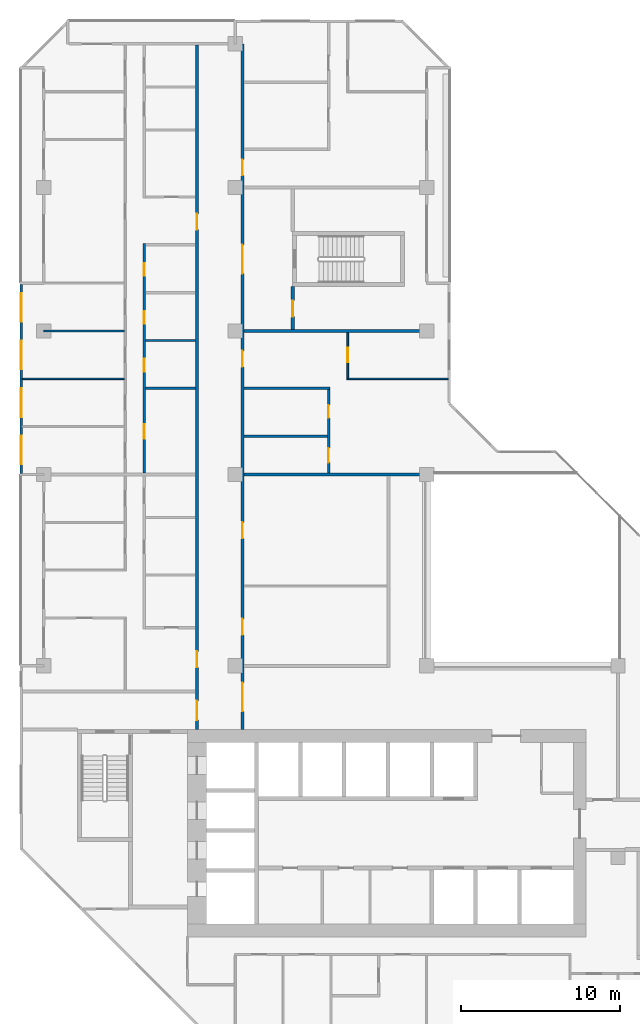
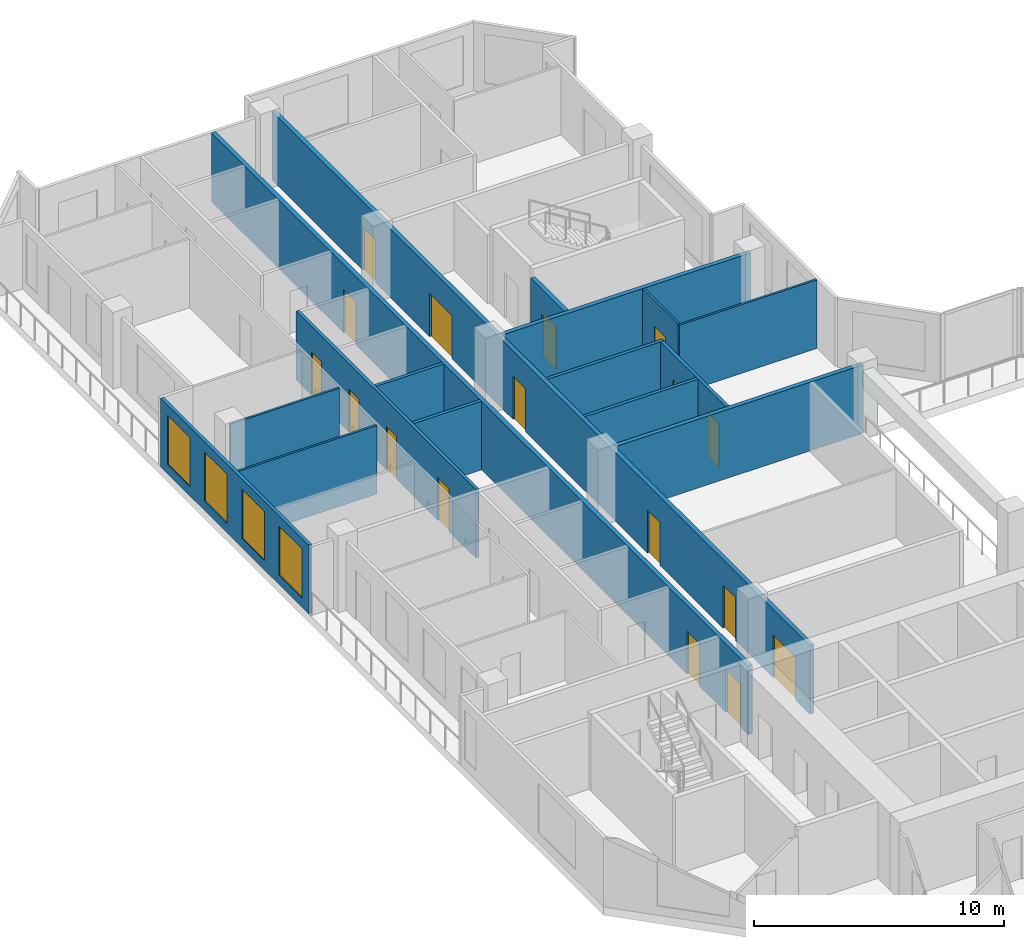
# One storey, part 9 of 15: 17 doors, 16 walls, 4 windows, 21 openings.
"""IFC4 building model written with IfcOpenShell, lengths in metres."""

from ifc_helpers import new_model, si_unit, direction, frame, frame_2d, origin, place, context, subcontext, project, spatial, rectangle, extrude, material, layer, layer_set, type_object, element, fill, save


model = new_model("IFC4")

# Units and contexts
model_context = context("Model", 3, precision=1e-05, world=origin(), true_north=direction((0.0, 1.0)))
body_context = subcontext(model_context, "Body", "Model", "MODEL_VIEW")
ifc_project = project(units=[si_unit("LENGTHUNIT", "METRE"), si_unit("AREAUNIT", "SQUARE_METRE"), si_unit("VOLUMEUNIT", "CUBIC_METRE"), si_unit("PLANEANGLEUNIT", "RADIAN"), si_unit("MASSUNIT", "GRAM", prefix="KILO")], contexts=[model_context])

# Site, building, storey
site_placement = place(None, origin())
site = spatial("IfcSite", under=ifc_project, at=site_placement, CompositionType="ELEMENT")
building_placement = place(site_placement, origin())
building = spatial("IfcBuilding", under=site, at=building_placement, Name="Chenar Terraces", CompositionType="ELEMENT")
storey_placement = place(building_placement, frame((0.0, 0.0, 176.14990234375)))
storey = spatial("IfcBuildingStorey", under=building, at=storey_placement, Name="L40", CompositionType="ELEMENT", Elevation=176.14990234375)

# Wall, openings, doors
ifc_material_1 = material(Name="Gypsum board on steel studs with fire boards", Category="steel")
ifc_layer_1 = layer(ifc_material_1, 0.199951171875)
ifc_layer_set_1 = layer_set([ifc_layer_1], Name="Gypsum board on steel studs with fire boards")
wall_type_1 = type_object("IfcWallType", Name="Corridor wall 200", PredefinedType="PARTITIONING", material=ifc_layer_set_1)
wall_1_placement = place(storey_placement, frame((9.60009765625, 20.0, 0.0), z_axis=(0.0, 0.0, 1.0), x_axis=(0.0, 1.0, 0.0)))
wall_1 = element("IfcWall", 1, at=wall_1_placement, inside=storey, type_object=wall_type_1, Name="Partition L40-032", PredefinedType="PARTITIONING", context=body_context, shape_type="SweptSolid", body=[
    extrude(rectangle(XDim=42.926025390625, YDim=0.199951171875, at=frame_2d((21.462890625, 0.0))), origin(), (0.0, 0.0, 1.0), 3.35009765625),
])
opening_1_placement = place(wall_1_placement, frame((31.35009765625, 0.0, 0.0)))
opening_1 = element("IfcOpeningElement", 2, at=opening_1_placement, cuts=wall_1, Name="Opening DL40-29", PredefinedType="OPENING", context=body_context, shape_type="SweptSolid", body=[
    extrude(rectangle(XDim=1.0, YDim=2.10009765625, at=frame_2d((0.5, 1.050048828125))), frame((0.0, 0.10986328125, 0.0), z_axis=(0.0, -1.0, 0.0), x_axis=(1.0, 0.0, 0.0)), (0.0, 0.0, 1.0), 0.219970703125),
])
opening_2_placement = place(wall_1_placement, frame((0.60009765625, 0.0, 0.0)))
opening_2 = element("IfcOpeningElement", 3, at=opening_2_placement, cuts=wall_1, Name="Opening DL40-40", PredefinedType="OPENING", context=body_context, shape_type="SweptSolid", body=[
    extrude(rectangle(XDim=1.199951171875, YDim=2.10009765625, at=frame_2d((0.60009765625, 1.050048828125))), frame((0.0, 0.10986328125, 0.0), z_axis=(0.0, -1.0, 0.0), x_axis=(1.0, 0.0, 0.0)), (0.0, 0.0, 1.0), 0.219970703125),
])
opening_3_placement = place(wall_1_placement, frame((3.89990234375, 0.0, 0.0)))
opening_3 = element("IfcOpeningElement", 4, at=opening_3_placement, cuts=wall_1, Name="Opening DL40-62", PredefinedType="OPENING", context=body_context, shape_type="SweptSolid", body=[
    extrude(rectangle(XDim=1.0, YDim=2.10009765625, at=frame_2d((0.5, 1.050048828125))), frame((0.0, 0.10986328125, 0.0), z_axis=(0.0, -1.0, 0.0), x_axis=(1.0, 0.0, 0.0)), (0.0, 0.0, 1.0), 0.219970703125),
])
ifc_material_2 = material(Name="Steel-framed fire-resisting door leaf", Category="steel")
door_type_1 = type_object("IfcDoorType", Name="Fire door FD30S 1000 x 2100", OperationType="SINGLE_SWING_LEFT", PredefinedType="DOOR", material=ifc_material_2)
door_1_placement = place(opening_1_placement, origin())
door_1 = element("IfcDoor", 5, at=door_1_placement, inside=storey, type_object=door_type_1, Name="Door DL40-29", OperationType="SINGLE_SWING_LEFT", OverallHeight=2.10009765625, OverallWidth=1.0, PredefinedType="DOOR", context=body_context, shape_type="SweptSolid", body=[
    extrude(rectangle(XDim=1.0, YDim=2.10009765625, at=frame_2d((0.5, 1.050048828125))), frame((0.0, 0.02490234375, 0.0), z_axis=(0.0, -1.0, 0.0), x_axis=(1.0, 0.0, 0.0)), (0.0, 0.0, 1.0), 0.050048828125),
])
fill(opening_1, door_1)
door_2_placement = place(opening_3_placement, origin())
door_2 = element("IfcDoor", 6, at=door_2_placement, inside=storey, type_object=door_type_1, Name="Door DL40-62", OperationType="SINGLE_SWING_LEFT", OverallHeight=2.10009765625, OverallWidth=1.0, PredefinedType="DOOR", context=body_context, shape_type="SweptSolid", body=[
    extrude(rectangle(XDim=1.0, YDim=2.10009765625, at=frame_2d((0.5, 1.050048828125))), frame((0.0, 0.02490234375, 0.0), z_axis=(0.0, -1.0, 0.0), x_axis=(1.0, 0.0, 0.0)), (0.0, 0.0, 1.0), 0.050048828125),
])
fill(opening_3, door_2)
ifc_material_3 = material(Name="Steel-framed fire-resisting door leaf", Category="steel")
door_type_2 = type_object("IfcDoorType", Name="Fire door FD30S 1200 x 2100", OperationType="SINGLE_SWING_LEFT", PredefinedType="DOOR", material=ifc_material_3)
door_3_placement = place(opening_2_placement, origin())
door_3 = element("IfcDoor", 7, at=door_3_placement, inside=storey, type_object=door_type_2, Name="Door DL40-40", OperationType="SINGLE_SWING_RIGHT", OverallHeight=2.10009765625, OverallWidth=1.199951171875, PredefinedType="DOOR", context=body_context, shape_type="SweptSolid", body=[
    extrude(rectangle(XDim=1.199951171875, YDim=2.10009765625, at=frame_2d((0.60009765625, 1.050048828125))), frame((0.0, 0.02490234375, 0.0), z_axis=(0.0, -1.0, 0.0), x_axis=(1.0, 0.0, 0.0)), (0.0, 0.0, 1.0), 0.050048828125),
])
fill(opening_2, door_3)

wall_2_placement = place(storey_placement, frame((12.449951171875, 20.0, 0.0), z_axis=(0.0, 0.0, 1.0), x_axis=(0.0, 1.0, 0.0)))
wall_2 = element("IfcWall", 8, at=wall_2_placement, inside=storey, type_object=wall_type_1, Name="Partition L40-035", PredefinedType="PARTITIONING", context=body_context, shape_type="SweptSolid", body=[
    extrude(rectangle(XDim=43.0, YDim=0.199951171875, at=frame_2d((21.5, 0.0))), origin(), (0.0, 0.0, 1.0), 3.35009765625),
])
opening_4_placement = place(wall_2_placement, frame((5.949951171875, 0.0, 0.0)))
opening_4 = element("IfcOpeningElement", 9, at=opening_4_placement, cuts=wall_2, Name="Opening DL40-1", PredefinedType="OPENING", context=body_context, shape_type="SweptSolid", body=[
    extrude(rectangle(XDim=1.0, YDim=2.10009765625, at=frame_2d((0.5, 1.050048828125))), frame((0.0, 0.10986328125, 0.0), z_axis=(0.0, -1.0, 0.0), x_axis=(1.0, 0.0, 0.0)), (0.0, 0.0, 1.0), 0.219970703125),
])
opening_5_placement = place(wall_2_placement, frame((12.0, 0.0, 0.0)))
opening_5 = element("IfcOpeningElement", 10, at=opening_5_placement, cuts=wall_2, Name="Opening DL40-2", PredefinedType="OPENING", context=body_context, shape_type="SweptSolid", body=[
    extrude(rectangle(XDim=1.0, YDim=2.10009765625, at=frame_2d((0.5, 1.050048828125))), frame((0.0, 0.10986328125, 0.0), z_axis=(0.0, -1.0, 0.0), x_axis=(1.0, 0.0, 0.0)), (0.0, 0.0, 1.0), 0.219970703125),
])
opening_6_placement = place(wall_2_placement, frame((22.75, 0.0, 0.0)))
opening_6 = element("IfcOpeningElement", 11, at=opening_6_placement, cuts=wall_2, Name="Opening DL40-18", PredefinedType="OPENING", context=body_context, shape_type="SweptSolid", body=[
    extrude(rectangle(XDim=1.0, YDim=2.10009765625, at=frame_2d((0.5, 1.050048828125))), frame((0.0, 0.10986328125, 0.0), z_axis=(0.0, -1.0, 0.0), x_axis=(1.0, 0.0, 0.0)), (0.0, 0.0, 1.0), 0.219970703125),
])
opening_7_placement = place(wall_2_placement, frame((34.75, 0.0, 0.0)))
opening_7 = element("IfcOpeningElement", 12, at=opening_7_placement, cuts=wall_2, Name="Opening DL40-22", PredefinedType="OPENING", context=body_context, shape_type="SweptSolid", body=[
    extrude(rectangle(XDim=1.0, YDim=2.10009765625, at=frame_2d((0.5, 1.050048828125))), frame((0.0, 0.10986328125, 0.0), z_axis=(0.0, -1.0, 0.0), x_axis=(1.0, 0.0, 0.0)), (0.0, 0.0, 1.0), 0.219970703125),
])
opening_8_placement = place(wall_2_placement, frame((1.14990234375, 0.0, 0.0)))
opening_8 = element("IfcOpeningElement", 13, at=opening_8_placement, cuts=wall_2, Name="Opening DL40-39", PredefinedType="OPENING", context=body_context, shape_type="SweptSolid", body=[
    extrude(rectangle(XDim=1.800048828125, YDim=2.10009765625, at=frame_2d((0.89990234375, 1.050048828125))), frame((0.0, 0.10986328125, 0.0), z_axis=(0.0, -1.0, 0.0), x_axis=(1.0, 0.0, 0.0)), (0.0, 0.0, 1.0), 0.219970703125),
])
opening_9_placement = place(wall_2_placement, frame((28.60009765625, 0.0, 0.0)))
opening_9 = element("IfcOpeningElement", 14, at=opening_9_placement, cuts=wall_2, Name="Opening DL40-41", PredefinedType="OPENING", context=body_context, shape_type="SweptSolid", body=[
    extrude(rectangle(XDim=1.800048828125, YDim=2.10009765625, at=frame_2d((0.89990234375, 1.050048828125))), frame((0.0, 0.10986328125, 0.0), z_axis=(0.0, -1.0, 0.0), x_axis=(1.0, 0.0, 0.0)), (0.0, 0.0, 1.0), 0.219970703125),
])
ifc_material_4 = material(Name="Steel-framed fire-resisting door leaf", Category="steel")
door_type_3 = type_object("IfcDoorType", Name="Fire door FD60 1000 x 2100", OperationType="SINGLE_SWING_LEFT", PredefinedType="DOOR", material=ifc_material_4)
door_4_placement = place(opening_4_placement, frame((1.0, 0.0, 0.0), z_axis=(0.0, 0.0, 1.0), x_axis=(-1.0, 0.0, 0.0)))
door_4 = element("IfcDoor", 15, at=door_4_placement, inside=storey, type_object=door_type_3, Name="Door DL40-1", OperationType="SINGLE_SWING_LEFT", OverallHeight=2.10009765625, OverallWidth=1.0, PredefinedType="DOOR", context=body_context, shape_type="SweptSolid", body=[
    extrude(rectangle(XDim=1.0, YDim=2.10009765625, at=frame_2d((0.5, 1.050048828125))), frame((0.0, 0.02490234375, 0.0), z_axis=(0.0, -1.0, 0.0), x_axis=(1.0, 0.0, 0.0)), (0.0, 0.0, 1.0), 0.050048828125),
])
fill(opening_4, door_4)
door_5_placement = place(opening_5_placement, frame((1.0, 0.0, 0.0), z_axis=(0.0, 0.0, 1.0), x_axis=(-1.0, 0.0, 0.0)))
door_5 = element("IfcDoor", 16, at=door_5_placement, inside=storey, type_object=door_type_3, Name="Door DL40-2", OperationType="SINGLE_SWING_LEFT", OverallHeight=2.10009765625, OverallWidth=1.0, PredefinedType="DOOR", context=body_context, shape_type="SweptSolid", body=[
    extrude(rectangle(XDim=1.0, YDim=2.10009765625, at=frame_2d((0.5, 1.050048828125))), frame((0.0, 0.02490234375, 0.0), z_axis=(0.0, -1.0, 0.0), x_axis=(1.0, 0.0, 0.0)), (0.0, 0.0, 1.0), 0.050048828125),
])
fill(opening_5, door_5)
door_6_placement = place(opening_6_placement, frame((1.0, 0.0, 0.0), z_axis=(0.0, 0.0, 1.0), x_axis=(-1.0, 0.0, 0.0)))
door_6 = element("IfcDoor", 17, at=door_6_placement, inside=storey, type_object=door_type_3, Name="Door DL40-18", OperationType="SINGLE_SWING_LEFT", OverallHeight=2.10009765625, OverallWidth=1.0, PredefinedType="DOOR", context=body_context, shape_type="SweptSolid", body=[
    extrude(rectangle(XDim=1.0, YDim=2.10009765625, at=frame_2d((0.5, 1.050048828125))), frame((0.0, 0.02490234375, 0.0), z_axis=(0.0, -1.0, 0.0), x_axis=(1.0, 0.0, 0.0)), (0.0, 0.0, 1.0), 0.050048828125),
])
fill(opening_6, door_6)
door_7_placement = place(opening_7_placement, frame((1.0, 0.0, 0.0), z_axis=(0.0, 0.0, 1.0), x_axis=(-1.0, 0.0, 0.0)))
door_7 = element("IfcDoor", 18, at=door_7_placement, inside=storey, type_object=door_type_3, Name="Door DL40-22", OperationType="SINGLE_SWING_LEFT", OverallHeight=2.10009765625, OverallWidth=1.0, PredefinedType="DOOR", context=body_context, shape_type="SweptSolid", body=[
    extrude(rectangle(XDim=1.0, YDim=2.10009765625, at=frame_2d((0.5, 1.050048828125))), frame((0.0, 0.02490234375, 0.0), z_axis=(0.0, -1.0, 0.0), x_axis=(1.0, 0.0, 0.0)), (0.0, 0.0, 1.0), 0.050048828125),
])
fill(opening_7, door_7)
ifc_material_5 = material(Name="Steel-framed fire-resisting door leaf", Category="steel")
door_type_4 = type_object("IfcDoorType", Name="Fire double door FD60 1800 x 2100", OperationType="DOUBLE_DOOR_SINGLE_SWING", PredefinedType="DOOR", material=ifc_material_5)
door_8_placement = place(opening_8_placement, frame((1.800048828125, 0.0, 0.0), z_axis=(0.0, 0.0, 1.0), x_axis=(-1.0, 0.0, 0.0)))
door_8 = element("IfcDoor", 19, at=door_8_placement, inside=storey, type_object=door_type_4, Name="Door DL40-39", OperationType="DOUBLE_DOOR_SINGLE_SWING", OverallHeight=2.10009765625, OverallWidth=1.800048828125, PredefinedType="DOOR", context=body_context, shape_type="SweptSolid", body=[
    extrude(rectangle(XDim=1.800048828125, YDim=2.10009765625, at=frame_2d((0.89990234375, 1.050048828125))), frame((0.0, 0.02490234375, 0.0), z_axis=(0.0, -1.0, 0.0), x_axis=(1.0, 0.0, 0.0)), (0.0, 0.0, 1.0), 0.050048828125),
])
fill(opening_8, door_8)
door_9_placement = place(opening_9_placement, frame((1.800048828125, 0.0, 0.0), z_axis=(0.0, 0.0, 1.0), x_axis=(-1.0, 0.0, 0.0)))
door_9 = element("IfcDoor", 20, at=door_9_placement, inside=storey, type_object=door_type_4, Name="Door DL40-41", OperationType="DOUBLE_DOOR_SINGLE_SWING", OverallHeight=2.10009765625, OverallWidth=1.800048828125, PredefinedType="DOOR", context=body_context, shape_type="SweptSolid", body=[
    extrude(rectangle(XDim=1.800048828125, YDim=2.10009765625, at=frame_2d((0.89990234375, 1.050048828125))), frame((0.0, 0.02490234375, 0.0), z_axis=(0.0, -1.0, 0.0), x_axis=(1.0, 0.0, 0.0)), (0.0, 0.0, 1.0), 0.050048828125),
])
fill(opening_9, door_9)

# Wall, opening, door
wall_3_placement = place(storey_placement, frame((15.60009765625, 45.10009765625, 0.0), z_axis=(0.0, 0.0, 1.0), x_axis=(0.0, 1.0, 0.0)))
wall_3 = element("IfcWall", 21, at=wall_3_placement, inside=storey, type_object=wall_type_1, Name="Partition L40-046", PredefinedType="PARTITIONING", context=body_context, shape_type="SweptSolid", body=[
    extrude(rectangle(XDim=2.6748046875, YDim=0.199951171875, at=frame_2d((1.33740234375, 0.0))), origin(), (0.0, 0.0, 1.0), 3.35009765625),
])
opening_10_placement = place(wall_3_placement, frame((0.800048828125, 0.0, 0.0)))
opening_10 = element("IfcOpeningElement", 22, at=opening_10_placement, cuts=wall_3, Name="Opening DL40-43", PredefinedType="OPENING", context=body_context, shape_type="SweptSolid", body=[
    extrude(rectangle(XDim=1.0, YDim=2.10009765625, at=frame_2d((0.5, 1.050048828125))), frame((0.0, 0.10986328125, 0.0), z_axis=(0.0, -1.0, 0.0), x_axis=(1.0, 0.0, 0.0)), (0.0, 0.0, 1.0), 0.219970703125),
])
door_10_placement = place(opening_10_placement, frame((1.0, 0.0, 0.0), z_axis=(0.0, 0.0, 1.0), x_axis=(-1.0, 0.0, 0.0)))
door_10 = element("IfcDoor", 23, at=door_10_placement, inside=storey, type_object=door_type_3, Name="Door DL40-43", OperationType="SINGLE_SWING_RIGHT", OverallHeight=2.10009765625, OverallWidth=1.0, PredefinedType="DOOR", context=body_context, shape_type="SweptSolid", body=[
    extrude(rectangle(XDim=1.0, YDim=2.10009765625, at=frame_2d((0.5, 1.050048828125))), frame((0.0, 0.02490234375, 0.0), z_axis=(0.0, -1.0, 0.0), x_axis=(1.0, 0.0, 0.0)), (0.0, 0.0, 1.0), 0.050048828125),
])
fill(opening_10, door_10)

# Wall, openings, windows
ifc_material_6 = material(Name="Aluminium framed glazing", Category="aluminium")
ifc_layer_2 = layer(ifc_material_6, 0.14990234375)
ifc_layer_set_2 = layer_set([ifc_layer_2], Name="Aluminium framed glazing")
wall_type_2 = type_object("IfcWallType", Name="Glazed flush facade wall 150", PredefinedType="SOLIDWALL", material=ifc_layer_set_2)
wall_4_placement = place(storey_placement, frame((-1.425048828125, 47.925048828125, 0.0), z_axis=(0.0, 0.0, 1.0), x_axis=(0.0, -1.0, 0.0)))
wall_4 = element("IfcWall", 24, at=wall_4_placement, inside=storey, type_object=wall_type_2, Name="Glazed flush facade wall", PredefinedType="SOLIDWALL", context=body_context, shape_type="SweptSolid", body=[
    extrude(rectangle(XDim=11.85009765625, YDim=0.14990234375, at=frame_2d((5.925048828125, 0.0))), origin(), (0.0, 0.0, 1.0), 3.35009765625),
])
opening_11_placement = place(wall_4_placement, frame((0.5625, 0.0, 0.449951171875)))
opening_11 = element("IfcOpeningElement", 25, at=opening_11_placement, cuts=wall_4, Name="Opening W180x240", PredefinedType="OPENING", context=body_context, shape_type="SweptSolid", body=[
    extrude(rectangle(XDim=1.800048828125, YDim=2.39990234375, at=frame_2d((0.89990234375, 1.199951171875))), frame((0.0, 0.0849609375, 0.0), z_axis=(0.0, -1.0, 0.0), x_axis=(1.0, 0.0, 0.0)), (0.0, 0.0, 1.0), 0.169921875),
])
opening_12_placement = place(wall_4_placement, frame((3.52490234375, 0.0, 0.449951171875)))
opening_12 = element("IfcOpeningElement", 26, at=opening_12_placement, cuts=wall_4, Name="Opening W180x240", PredefinedType="OPENING", context=body_context, shape_type="SweptSolid", body=[
    extrude(rectangle(XDim=1.800048828125, YDim=2.39990234375, at=frame_2d((0.89990234375, 1.199951171875))), frame((0.0, 0.0849609375, 0.0), z_axis=(0.0, -1.0, 0.0), x_axis=(1.0, 0.0, 0.0)), (0.0, 0.0, 1.0), 0.169921875),
])
opening_13_placement = place(wall_4_placement, frame((6.52490234375, 0.0, 0.449951171875)))
opening_13 = element("IfcOpeningElement", 27, at=opening_13_placement, cuts=wall_4, Name="Opening W180x240", PredefinedType="OPENING", context=body_context, shape_type="SweptSolid", body=[
    extrude(rectangle(XDim=1.800048828125, YDim=2.39990234375, at=frame_2d((0.89990234375, 1.199951171875))), frame((0.0, 0.0849609375, 0.0), z_axis=(0.0, -1.0, 0.0), x_axis=(1.0, 0.0, 0.0)), (0.0, 0.0, 1.0), 0.169921875),
])
opening_14_placement = place(wall_4_placement, frame((9.487548828125, 0.0, 0.449951171875)))
opening_14 = element("IfcOpeningElement", 28, at=opening_14_placement, cuts=wall_4, Name="Opening W180x240", PredefinedType="OPENING", context=body_context, shape_type="SweptSolid", body=[
    extrude(rectangle(XDim=1.800048828125, YDim=2.39990234375, at=frame_2d((0.89990234375, 1.199951171875))), frame((0.0, 0.0849609375, 0.0), z_axis=(0.0, -1.0, 0.0), x_axis=(1.0, 0.0, 0.0)), (0.0, 0.0, 1.0), 0.169921875),
])
ifc_material_7 = material(Name="Low emissivity double glazing, aluminium frame", Category="aluminium")
window_type = type_object("IfcWindowType", Name="Fixed light 1800 x 2400", PartitioningType="SINGLE_PANEL", PredefinedType="WINDOW", material=ifc_material_7)
window_1_placement = place(opening_11_placement, origin())
window_1 = element("IfcWindow", 29, at=window_1_placement, inside=storey, type_object=window_type, Name="Window", OverallHeight=2.39990234375, OverallWidth=1.800048828125, PartitioningType="SINGLE_PANEL", PredefinedType="WINDOW", context=body_context, shape_type="SweptSolid", body=[
    extrude(rectangle(XDim=1.800048828125, YDim=2.39990234375, at=frame_2d((0.89990234375, 1.199951171875))), frame((0.0, 0.030029296875, 0.0), z_axis=(0.0, -1.0, 0.0), x_axis=(1.0, 0.0, 0.0)), (0.0, 0.0, 1.0), 0.06005859375),
])
fill(opening_11, window_1)
window_2_placement = place(opening_12_placement, origin())
window_2 = element("IfcWindow", 30, at=window_2_placement, inside=storey, type_object=window_type, Name="Window", OverallHeight=2.39990234375, OverallWidth=1.800048828125, PartitioningType="SINGLE_PANEL", PredefinedType="WINDOW", context=body_context, shape_type="SweptSolid", body=[
    extrude(rectangle(XDim=1.800048828125, YDim=2.39990234375, at=frame_2d((0.89990234375, 1.199951171875))), frame((0.0, 0.030029296875, 0.0), z_axis=(0.0, -1.0, 0.0), x_axis=(1.0, 0.0, 0.0)), (0.0, 0.0, 1.0), 0.06005859375),
])
fill(opening_12, window_2)
window_3_placement = place(opening_13_placement, origin())
window_3 = element("IfcWindow", 31, at=window_3_placement, inside=storey, type_object=window_type, Name="Window", OverallHeight=2.39990234375, OverallWidth=1.800048828125, PartitioningType="SINGLE_PANEL", PredefinedType="WINDOW", context=body_context, shape_type="SweptSolid", body=[
    extrude(rectangle(XDim=1.800048828125, YDim=2.39990234375, at=frame_2d((0.89990234375, 1.199951171875))), frame((0.0, 0.030029296875, 0.0), z_axis=(0.0, -1.0, 0.0), x_axis=(1.0, 0.0, 0.0)), (0.0, 0.0, 1.0), 0.06005859375),
])
fill(opening_13, window_3)
window_4_placement = place(opening_14_placement, origin())
window_4 = element("IfcWindow", 32, at=window_4_placement, inside=storey, type_object=window_type, Name="Window", OverallHeight=2.39990234375, OverallWidth=1.800048828125, PartitioningType="SINGLE_PANEL", PredefinedType="WINDOW", context=body_context, shape_type="SweptSolid", body=[
    extrude(rectangle(XDim=1.800048828125, YDim=2.39990234375, at=frame_2d((0.89990234375, 1.199951171875))), frame((0.0, 0.030029296875, 0.0), z_axis=(0.0, -1.0, 0.0), x_axis=(1.0, 0.0, 0.0)), (0.0, 0.0, 1.0), 0.06005859375),
])
fill(opening_14, window_4)

# Walls
ifc_material_8 = material(Name="Gypsum board on steel studs", Category="steel")
ifc_layer_3 = layer(ifc_material_8, 0.10009765625)
ifc_layer_set_3 = layer_set([ifc_layer_3], Name="Gypsum board on steel studs")
wall_type_3 = type_object("IfcWallType", Name="Gypsum partition 100", PredefinedType="PARTITIONING", material=ifc_layer_set_3)
wall_5_placement = place(storey_placement, frame((-1.35009765625, 42.0, 0.0), z_axis=(0.0, 0.0, 1.0), x_axis=(1.0, 0.0, 0.0)))
element("IfcWall", 33, at=wall_5_placement, inside=storey, type_object=wall_type_3, Name="Partition L40-005", PredefinedType="PARTITIONING", context=body_context, shape_type="SweptSolid", body=[
    extrude(rectangle(XDim=6.400146484375, YDim=0.10009765625, at=frame_2d((3.2001953125, 0.0))), origin(), (0.0, 0.0, 1.0), 3.35009765625),
])
wall_6_placement = place(storey_placement, frame((0.0, 45.0, 0.0), z_axis=(0.0, 0.0, 1.0), x_axis=(1.0, 0.0, 0.0)))
element("IfcWall", 34, at=wall_6_placement, inside=storey, type_object=wall_type_3, Name="Partition L40-006", PredefinedType="PARTITIONING", context=body_context, shape_type="SweptSolid", body=[
    extrude(rectangle(XDim=5.050048828125, YDim=0.10009765625, at=frame_2d((2.52490234375, 0.0))), origin(), (0.0, 0.0, 1.0), 3.35009765625),
])
wall_7_placement = place(storey_placement, frame((19.0, 42.0, 0.0), z_axis=(0.0, 0.0, 1.0), x_axis=(1.0, 0.0, 0.0)))
element("IfcWall", 35, at=wall_7_placement, inside=storey, type_object=wall_type_3, Name="Partition L40-052", PredefinedType="PARTITIONING", context=body_context, shape_type="SweptSolid", body=[
    extrude(rectangle(XDim=6.35009765625, YDim=0.10009765625, at=frame_2d((3.175048828125, 0.0))), origin(), (0.0, 0.0, 1.0), 3.35009765625),
])

# Wall, opening, door
wall_8_placement = place(storey_placement, frame((19.050048828125, 42.050048828125, 0.0), z_axis=(0.0, 0.0, 1.0), x_axis=(0.0, 1.0, 0.0)))
wall_8 = element("IfcWall", 36, at=wall_8_placement, inside=storey, type_object=wall_type_3, Name="Partition L40-054", PredefinedType="PARTITIONING", context=body_context, shape_type="SweptSolid", body=[
    extrude(rectangle(XDim=2.849853515625, YDim=0.10009765625, at=frame_2d((1.4248046875, 0.0))), origin(), (0.0, 0.0, 1.0), 3.35009765625),
])
opening_15_placement = place(wall_8_placement, frame((1.0, 0.0, 0.0)))
opening_15 = element("IfcOpeningElement", 37, at=opening_15_placement, cuts=wall_8, Name="Opening DL40-16", PredefinedType="OPENING", context=body_context, shape_type="SweptSolid", body=[
    extrude(rectangle(XDim=0.89990234375, YDim=2.10009765625, at=frame_2d((0.449951171875, 1.050048828125))), frame((0.0, 0.06005859375, 0.0), z_axis=(0.0, -1.0, 0.0), x_axis=(1.0, 0.0, 0.0)), (0.0, 0.0, 1.0), 0.1201171875),
])
ifc_material_9 = material(Name="Veneered timber door leaf", Category="wood")
door_type_5 = type_object("IfcDoorType", Name="Door 900 x 2100", OperationType="SINGLE_SWING_LEFT", PredefinedType="DOOR", material=ifc_material_9)
door_11_placement = place(opening_15_placement, frame((0.89990234375, 0.0, 0.0), z_axis=(0.0, 0.0, 1.0), x_axis=(-1.0, 0.0, 0.0)))
door_11 = element("IfcDoor", 38, at=door_11_placement, inside=storey, type_object=door_type_5, Name="Door DL40-16", OperationType="SINGLE_SWING_LEFT", OverallHeight=2.10009765625, OverallWidth=0.89990234375, PredefinedType="DOOR", context=body_context, shape_type="SweptSolid", body=[
    extrude(rectangle(XDim=0.89990234375, YDim=2.10009765625, at=frame_2d((0.449951171875, 1.050048828125))), frame((0.0, 0.02490234375, 0.0), z_axis=(0.0, -1.0, 0.0), x_axis=(1.0, 0.0, 0.0)), (0.0, 0.0, 1.0), 0.050048828125),
])
fill(opening_15, door_11)

# Walls
ifc_material_10 = material(Name="Twin gypsum board on steel studs with mineral wool", Category="steel")
ifc_layer_4 = layer(ifc_material_10, 0.199951171875)
ifc_layer_set_4 = layer_set([ifc_layer_4], Name="Twin gypsum board on steel studs with mineral wool")
wall_type_4 = type_object("IfcWallType", Name="Unit demising wall 200", PredefinedType="PARTITIONING", material=ifc_layer_set_4)
for number, where, z_axis, x_axis, name in (
    (39, (12.550048828125, 36.0, 0.0), (0.0, 0.0, 1.0), (1.0, 0.0, 0.0), "Partition L40-038"),
    (40, (12.550048828125, 45.0, 0.0), (0.0, 0.0, 1.0), (1.0, 0.0, 0.0), "Partition L40-041"),
):
    element("IfcWall", number, at=place(storey_placement, frame(where, z_axis=z_axis, x_axis=x_axis)), inside=storey, type_object=wall_type_4, Name=name, PredefinedType="PARTITIONING", context=body_context, shape_type="SweptSolid", body=[
        extrude(rectangle(XDim=11.449951171875, YDim=0.199951171875, at=frame_2d((5.72509765625, 0.0))), origin(), (0.0, 0.0, 1.0), 3.35009765625),
    ])

# Wall, openings, doors
ifc_material_11 = material(Name="Moisture-resistant gypsum board on steel studs", Category="steel")
ifc_layer_5 = layer(ifc_material_11, 0.14990234375)
ifc_layer_set_5 = layer_set([ifc_layer_5], Name="Moisture-resistant gypsum board on steel studs")
wall_type_5 = type_object("IfcWallType", Name="Wet-room partition 150", PredefinedType="PARTITIONING", material=ifc_layer_set_5)
wall_9_placement = place(storey_placement, frame((6.300048828125, 36.10009765625, 0.0), z_axis=(0.0, 0.0, 1.0), x_axis=(0.0, 1.0, 0.0)))
wall_9 = element("IfcWall", 41, at=wall_9_placement, inside=storey, type_object=wall_type_5, Name="Partition L40-018", PredefinedType="PARTITIONING", context=body_context, shape_type="SweptSolid", body=[
    extrude(rectangle(XDim=14.375, YDim=0.14990234375, at=frame_2d((7.1875, 0.0))), origin(), (0.0, 0.0, 1.0), 3.35009765625),
])
opening_16_placement = place(wall_9_placement, frame((2.14990234375, 0.0, 0.0)))
opening_16 = element("IfcOpeningElement", 42, at=opening_16_placement, cuts=wall_9, Name="Opening DL40-30", PredefinedType="OPENING", context=body_context, shape_type="SweptSolid", body=[
    extrude(rectangle(XDim=0.89990234375, YDim=2.10009765625, at=frame_2d((0.449951171875, 1.050048828125))), frame((0.0, 0.0849609375, 0.0), z_axis=(0.0, -1.0, 0.0), x_axis=(1.0, 0.0, 0.0)), (0.0, 0.0, 1.0), 0.169921875),
])
opening_17_placement = place(wall_9_placement, frame((9.35009765625, 0.0, 0.0)))
opening_17 = element("IfcOpeningElement", 43, at=opening_17_placement, cuts=wall_9, Name="Opening DL40-31", PredefinedType="OPENING", context=body_context, shape_type="SweptSolid", body=[
    extrude(rectangle(XDim=0.800048828125, YDim=2.10009765625, at=frame_2d((0.39990234375, 1.050048828125))), frame((0.0, 0.0849609375, 0.0), z_axis=(0.0, -1.0, 0.0), x_axis=(1.0, 0.0, 0.0)), (0.0, 0.0, 1.0), 0.169921875),
])
opening_18_placement = place(wall_9_placement, frame((6.35009765625, 0.0, 0.0)))
opening_18 = element("IfcOpeningElement", 44, at=opening_18_placement, cuts=wall_9, Name="Opening DL40-35", PredefinedType="OPENING", context=body_context, shape_type="SweptSolid", body=[
    extrude(rectangle(XDim=0.800048828125, YDim=2.10009765625, at=frame_2d((0.39990234375, 1.050048828125))), frame((0.0, 0.0849609375, 0.0), z_axis=(0.0, -1.0, 0.0), x_axis=(1.0, 0.0, 0.0)), (0.0, 0.0, 1.0), 0.169921875),
])
opening_19_placement = place(wall_9_placement, frame((12.35009765625, 0.0, 0.0)))
opening_19 = element("IfcOpeningElement", 45, at=opening_19_placement, cuts=wall_9, Name="Opening DL40-36", PredefinedType="OPENING", context=body_context, shape_type="SweptSolid", body=[
    extrude(rectangle(XDim=0.800048828125, YDim=2.10009765625, at=frame_2d((0.39990234375, 1.050048828125))), frame((0.0, 0.0849609375, 0.0), z_axis=(0.0, -1.0, 0.0), x_axis=(1.0, 0.0, 0.0)), (0.0, 0.0, 1.0), 0.169921875),
])
ifc_material_12 = material(Name="Veneered timber door leaf", Category="wood")
door_type_6 = type_object("IfcDoorType", Name="Door 800 x 2100", OperationType="SINGLE_SWING_LEFT", PredefinedType="DOOR", material=ifc_material_12)
door_12_placement = place(opening_17_placement, frame((0.800048828125, 0.0, 0.0), z_axis=(0.0, 0.0, 1.0), x_axis=(-1.0, 0.0, 0.0)))
door_12 = element("IfcDoor", 46, at=door_12_placement, inside=storey, type_object=door_type_6, Name="Door DL40-31", OperationType="SINGLE_SWING_RIGHT", OverallHeight=2.10009765625, OverallWidth=0.800048828125, PredefinedType="DOOR", context=body_context, shape_type="SweptSolid", body=[
    extrude(rectangle(XDim=0.800048828125, YDim=2.10009765625, at=frame_2d((0.39990234375, 1.050048828125))), frame((0.0, 0.02490234375, 0.0), z_axis=(0.0, -1.0, 0.0), x_axis=(1.0, 0.0, 0.0)), (0.0, 0.0, 1.0), 0.050048828125),
])
fill(opening_17, door_12)
door_13_placement = place(opening_18_placement, frame((0.800048828125, 0.0, 0.0), z_axis=(0.0, 0.0, 1.0), x_axis=(-1.0, 0.0, 0.0)))
door_13 = element("IfcDoor", 47, at=door_13_placement, inside=storey, type_object=door_type_6, Name="Door DL40-35", OperationType="SINGLE_SWING_RIGHT", OverallHeight=2.10009765625, OverallWidth=0.800048828125, PredefinedType="DOOR", context=body_context, shape_type="SweptSolid", body=[
    extrude(rectangle(XDim=0.800048828125, YDim=2.10009765625, at=frame_2d((0.39990234375, 1.050048828125))), frame((0.0, 0.02490234375, 0.0), z_axis=(0.0, -1.0, 0.0), x_axis=(1.0, 0.0, 0.0)), (0.0, 0.0, 1.0), 0.050048828125),
])
fill(opening_18, door_13)
door_14_placement = place(opening_19_placement, frame((0.800048828125, 0.0, 0.0), z_axis=(0.0, 0.0, 1.0), x_axis=(-1.0, 0.0, 0.0)))
door_14 = element("IfcDoor", 48, at=door_14_placement, inside=storey, type_object=door_type_6, Name="Door DL40-36", OperationType="SINGLE_SWING_RIGHT", OverallHeight=2.10009765625, OverallWidth=0.800048828125, PredefinedType="DOOR", context=body_context, shape_type="SweptSolid", body=[
    extrude(rectangle(XDim=0.800048828125, YDim=2.10009765625, at=frame_2d((0.39990234375, 1.050048828125))), frame((0.0, 0.02490234375, 0.0), z_axis=(0.0, -1.0, 0.0), x_axis=(1.0, 0.0, 0.0)), (0.0, 0.0, 1.0), 0.050048828125),
])
fill(opening_19, door_14)
door_15_placement = place(opening_16_placement, frame((0.89990234375, 0.0, 0.0), z_axis=(0.0, 0.0, 1.0), x_axis=(-1.0, 0.0, 0.0)))
door_15 = element("IfcDoor", 49, at=door_15_placement, inside=storey, type_object=door_type_5, Name="Door DL40-30", OperationType="SINGLE_SWING_LEFT", OverallHeight=2.10009765625, OverallWidth=0.89990234375, PredefinedType="DOOR", context=body_context, shape_type="SweptSolid", body=[
    extrude(rectangle(XDim=0.89990234375, YDim=2.10009765625, at=frame_2d((0.449951171875, 1.050048828125))), frame((0.0, 0.02490234375, 0.0), z_axis=(0.0, -1.0, 0.0), x_axis=(1.0, 0.0, 0.0)), (0.0, 0.0, 1.0), 0.050048828125),
])
fill(opening_16, door_15)

# Walls
for number, where, z_axis, x_axis, name in (
    (50, (6.375, 41.39990234375, 0.0), (0.0, 0.0, 1.0), (1.0, 0.0, 0.0), "Partition L40-023"),
    (51, (6.375, 44.39990234375, 0.0), (0.0, 0.0, 1.0), (1.0, 0.0, 0.0), "Partition L40-024"),
):
    element("IfcWall", number, at=place(storey_placement, frame(where, z_axis=z_axis, x_axis=x_axis)), inside=storey, type_object=wall_type_5, Name=name, PredefinedType="PARTITIONING", context=body_context, shape_type="SweptSolid", body=[
        extrude(rectangle(XDim=3.125, YDim=0.14990234375, at=frame_2d((1.5625, 0.0))), origin(), (0.0, 0.0, 1.0), 3.35009765625),
    ])
wall_10_placement = place(storey_placement, frame((12.550048828125, 38.39990234375, 0.0), z_axis=(0.0, 0.0, 1.0), x_axis=(1.0, 0.0, 0.0)))
element("IfcWall", 52, at=wall_10_placement, inside=storey, type_object=wall_type_5, Name="Partition L40-039", PredefinedType="PARTITIONING", context=body_context, shape_type="SweptSolid", body=[
    extrude(rectangle(XDim=5.224853515625, YDim=0.14990234375, at=frame_2d((2.6123046875, 0.0))), origin(), (0.0, 0.0, 1.0), 3.35009765625),
])
wall_11_placement = place(storey_placement, frame((12.550048828125, 41.39990234375, 0.0), z_axis=(0.0, 0.0, 1.0), x_axis=(1.0, 0.0, 0.0)))
element("IfcWall", 53, at=wall_11_placement, inside=storey, type_object=wall_type_5, Name="Partition L40-040", PredefinedType="PARTITIONING", context=body_context, shape_type="SweptSolid", body=[
    extrude(rectangle(XDim=5.375, YDim=0.14990234375, at=frame_2d((2.6875, 0.0))), origin(), (0.0, 0.0, 1.0), 3.35009765625),
])

# Wall, openings, doors
wall_12_placement = place(storey_placement, frame((17.85009765625, 36.10009765625, 0.0), z_axis=(0.0, 0.0, 1.0), x_axis=(0.0, 1.0, 0.0)))
wall_12 = element("IfcWall", 54, at=wall_12_placement, inside=storey, type_object=wall_type_5, Name="Partition L40-048", PredefinedType="PARTITIONING", context=body_context, shape_type="SweptSolid", body=[
    extrude(rectangle(XDim=5.224853515625, YDim=0.14990234375, at=frame_2d((2.6123046875, 0.0))), origin(), (0.0, 0.0, 1.0), 3.35009765625),
])
opening_20_placement = place(wall_12_placement, frame((3.449951171875, 0.0, 0.0)))
opening_20 = element("IfcOpeningElement", 55, at=opening_20_placement, cuts=wall_12, Name="Opening DL40-15", PredefinedType="OPENING", context=body_context, shape_type="SweptSolid", body=[
    extrude(rectangle(XDim=0.800048828125, YDim=2.10009765625, at=frame_2d((0.39990234375, 1.050048828125))), frame((0.0, 0.0849609375, 0.0), z_axis=(0.0, -1.0, 0.0), x_axis=(1.0, 0.0, 0.0)), (0.0, 0.0, 1.0), 0.169921875),
])
opening_21_placement = place(wall_12_placement, frame((0.64990234375, 0.0, 0.0)))
opening_21 = element("IfcOpeningElement", 56, at=opening_21_placement, cuts=wall_12, Name="Opening DL40-17", PredefinedType="OPENING", context=body_context, shape_type="SweptSolid", body=[
    extrude(rectangle(XDim=0.89990234375, YDim=2.10009765625, at=frame_2d((0.449951171875, 1.050048828125))), frame((0.0, 0.0849609375, 0.0), z_axis=(0.0, -1.0, 0.0), x_axis=(1.0, 0.0, 0.0)), (0.0, 0.0, 1.0), 0.169921875),
])
door_16_placement = place(opening_20_placement, origin())
door_16 = element("IfcDoor", 57, at=door_16_placement, inside=storey, type_object=door_type_6, Name="Door DL40-15", OperationType="SINGLE_SWING_RIGHT", OverallHeight=2.10009765625, OverallWidth=0.800048828125, PredefinedType="DOOR", context=body_context, shape_type="SweptSolid", body=[
    extrude(rectangle(XDim=0.800048828125, YDim=2.10009765625, at=frame_2d((0.39990234375, 1.050048828125))), frame((0.0, 0.02490234375, 0.0), z_axis=(0.0, -1.0, 0.0), x_axis=(1.0, 0.0, 0.0)), (0.0, 0.0, 1.0), 0.050048828125),
])
fill(opening_20, door_16)
door_17_placement = place(opening_21_placement, origin())
door_17 = element("IfcDoor", 58, at=door_17_placement, inside=storey, type_object=door_type_5, Name="Door DL40-17", OperationType="SINGLE_SWING_RIGHT", OverallHeight=2.10009765625, OverallWidth=0.89990234375, PredefinedType="DOOR", context=body_context, shape_type="SweptSolid", body=[
    extrude(rectangle(XDim=0.89990234375, YDim=2.10009765625, at=frame_2d((0.449951171875, 1.050048828125))), frame((0.0, 0.02490234375, 0.0), z_axis=(0.0, -1.0, 0.0), x_axis=(1.0, 0.0, 0.0)), (0.0, 0.0, 1.0), 0.050048828125),
])
fill(opening_21, door_17)

save(model, "model.ifc")
